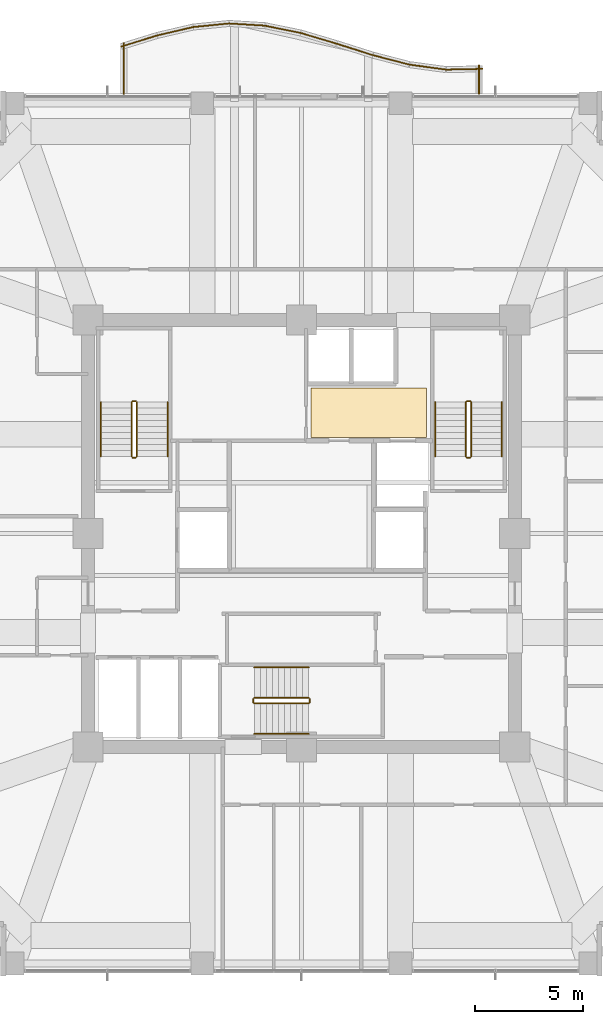
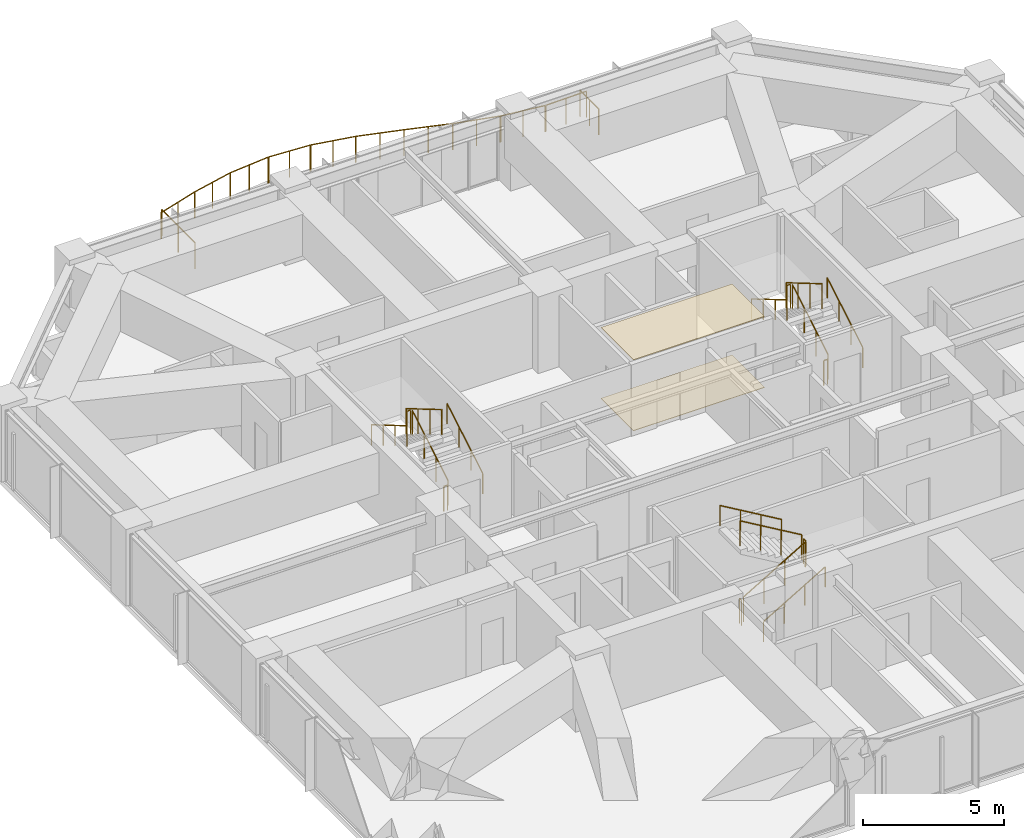
# One storey, part 34 of 34: 30 railings, 2 coverings.
"""IFC4 building model written with IfcOpenShell, lengths in metres."""

from ifc_helpers import new_model, si_unit, direction, frame, origin, origin_2d, place, context, subcontext, project, spatial, polyline, circle, outline, extrude, material, layer, layer_set, type_object, element, save


model = new_model("IFC4")

# Units and contexts
model_context = context("Model", 3, precision=1e-05, world=origin(), true_north=direction((0.0, 1.0)))
body_context = subcontext(model_context, "Body", "Model", "MODEL_VIEW")
ifc_project = project(units=[si_unit("LENGTHUNIT", "METRE"), si_unit("AREAUNIT", "SQUARE_METRE"), si_unit("VOLUMEUNIT", "CUBIC_METRE"), si_unit("PLANEANGLEUNIT", "RADIAN"), si_unit("MASSUNIT", "GRAM", prefix="KILO")], contexts=[model_context])

# Site, building, storey
site_placement = place(None, origin())
site = spatial("IfcSite", under=ifc_project, at=site_placement, CompositionType="ELEMENT")
building_placement = place(site_placement, origin())
building = spatial("IfcBuilding", under=site, at=building_placement, Name="Kolvaren Belvedere", CompositionType="ELEMENT")
storey_placement = place(building_placement, frame((0.0, 0.0, 105.199951171875)))
storey = spatial("IfcBuildingStorey", under=building, at=storey_placement, Name="L30", CompositionType="ELEMENT", Elevation=105.199951171875)

# Coverings
ifc_material_1 = material(Name="Acoustic perforated gypsum board", Category="gypsum")
ifc_layer_1 = layer(ifc_material_1, 0.02490234375)
ifc_layer_set_1 = layer_set([ifc_layer_1], Name="Acoustic perforated gypsum board")
covering_type_1 = type_object("IfcCoveringType", Name="COV-CEIL-GYP", PredefinedType="CEILING", material=ifc_layer_set_1)
covering_1_placement = place(storey_placement, frame((0.0, 0.0, 3.054931640625)))
element("IfcCovering", 1, at=covering_1_placement, inside=storey, type_object=covering_type_1, Name="L30 Lift Lobby Acoustic Baffle Ceiling", PredefinedType="CEILING", context=body_context, shape_type="SweptSolid", body=[
    extrude(outline(polyline([(0.449951171875, 4.449951171875), (5.800048828125, 4.449951171875), (5.800048828125, 6.75), (0.449951171875, 6.75), (0.449951171875, 4.449951171875)])), origin(), (0.0, 0.0, 1.0), 0.025146484375),
])
ifc_material_2 = material(Name="Engineered Pacific white oak", Category="timber")
ifc_layer_2 = layer(ifc_material_2, 0.02001953125)
ifc_layer_set_2 = layer_set([ifc_layer_2], Name="Engineered Pacific white oak")
covering_type_2 = type_object("IfcCoveringType", Name="COV-FLR-OAK", PredefinedType="FLOORING", material=ifc_layer_set_2)
covering_2_placement = place(storey_placement, origin())
element("IfcCovering", 2, at=covering_2_placement, inside=storey, type_object=covering_type_2, Name="L30 Lift Lobby Finish Flooring", PredefinedType="FLOORING", context=body_context, shape_type="SweptSolid", body=[
    extrude(outline(polyline([(0.449951171875, 4.449951171875), (5.800048828125, 4.449951171875), (5.800048828125, 6.75), (0.449951171875, 6.75), (0.449951171875, 4.449951171875)])), origin(), (0.0, 0.0, 1.0), 0.02001953125),
])

# Railings
ifc_material_3 = material(Name="Anodised pale-metal aluminium & laminated glass guard", Category="aluminium")
railing_type_1 = type_object("IfcRailingType", Name="RL-GUARD-1150", PredefinedType="GUARDRAIL", material=ifc_material_3)
railing_1_placement = place(storey_placement, frame((8.239990234375, 20.39990234375, 0.380126953125)))
element("IfcRailing", 3, at=railing_1_placement, inside=storey, type_object=railing_type_1, Name="L30 Exterior Deck Safety Guard BAL-N-11", PredefinedType="GUARDRAIL", context=body_context, shape_type="SweptSolid", body=[
    extrude(circle(Radius=0.02392578125, at=origin_2d()), frame((0.0, 0.0, 1.1259765625), z_axis=(0.0, 1.0, 0.0), x_axis=(-1.0, 0.0, 0.0)), (0.0, 0.0, 1.0), 1.31298828125),
    extrude(circle(Radius=0.02099609375, at=origin_2d()), origin(), (0.0, 0.0, 1.0), 1.101806640625),
    extrude(circle(Radius=0.02099609375, at=origin_2d()), frame((0.0, 0.656494140625, 0.0)), (0.0, 0.0, 1.0), 1.101806640625),
    extrude(circle(Radius=0.02099609375, at=origin_2d()), frame((0.0, 1.31298828125, 0.0)), (0.0, 0.0, 1.0), 1.101806640625),
])
railing_2_placement = place(storey_placement, frame((8.4033203125, 21.552978515625, 0.380126953125)))
element("IfcRailing", 4, at=railing_2_placement, inside=storey, type_object=railing_type_1, Name="L30 Exterior Deck Safety Guard BAL-N-12", PredefinedType="GUARDRAIL", context=body_context, shape_type="SweptSolid", body=[
    extrude(circle(Radius=0.02392578125, at=origin_2d()), frame((0.0, 0.0, 1.1259765625), z_axis=(-0.99979609052, -0.020193498486, 0.0), x_axis=(0.020193498486, -0.99979609052, 0.0)), (0.0, 0.0, 1.0), 1.680419921875),
    extrude(circle(Radius=0.02099609375, at=origin_2d()), origin(), (0.0, 0.0, 1.0), 1.101806640625),
    extrude(circle(Radius=0.02099609375, at=origin_2d()), frame((-0.840087890625, -0.01708984375, 0.0)), (0.0, 0.0, 1.0), 1.101806640625),
    extrude(circle(Radius=0.02099609375, at=origin_2d()), frame((-1.68017578125, -0.033935546875, 0.0)), (0.0, 0.0, 1.0), 1.101806640625),
])
railing_3_placement = place(storey_placement, frame((6.698486328125, 21.5205078125, 0.380126953125)))
element("IfcRailing", 5, at=railing_3_placement, inside=storey, type_object=railing_type_1, Name="L30 Exterior Deck Safety Guard BAL-N-13", PredefinedType="GUARDRAIL", context=body_context, shape_type="SweptSolid", body=[
    extrude(circle(Radius=0.02392578125, at=origin_2d()), frame((0.0, 0.0, 1.1259765625), z_axis=(-0.990858183042, 0.134907602079, 0.0), x_axis=(-0.134907602079, -0.990858183042, 0.0)), (0.0, 0.0, 1.0), 1.695556640625),
    extrude(circle(Radius=0.02099609375, at=origin_2d()), origin(), (0.0, 0.0, 1.0), 1.101806640625),
    extrude(circle(Radius=0.02099609375, at=origin_2d()), frame((-0.840087890625, 0.1142578125, 0.0)), (0.0, 0.0, 1.0), 1.101806640625),
    extrude(circle(Radius=0.02099609375, at=origin_2d()), frame((-1.68017578125, 0.228759765625, 0.0)), (0.0, 0.0, 1.0), 1.101806640625),
])
railing_4_placement = place(storey_placement, frame((5.0, 21.7529296875, 0.380126953125)))
element("IfcRailing", 6, at=railing_4_placement, inside=storey, type_object=railing_type_1, Name="L30 Exterior Deck Safety Guard BAL-N-14", PredefinedType="GUARDRAIL", context=body_context, shape_type="SweptSolid", body=[
    extrude(circle(Radius=0.02392578125, at=origin_2d()), frame((0.0, 0.0, 1.1259765625), z_axis=(-0.968141031826, 0.250405556038, 0.0), x_axis=(-0.250405556038, -0.968141031826, 0.0)), (0.0, 0.0, 1.0), 1.7353515625),
    extrude(circle(Radius=0.02099609375, at=origin_2d()), origin(), (0.0, 0.0, 1.0), 1.101806640625),
    extrude(circle(Radius=0.02099609375, at=origin_2d()), frame((-0.840087890625, 0.21728515625, 0.0)), (0.0, 0.0, 1.0), 1.101806640625),
    extrude(circle(Radius=0.02099609375, at=origin_2d()), frame((-1.68017578125, 0.4345703125, 0.0)), (0.0, 0.0, 1.0), 1.101806640625),
])
railing_5_placement = place(storey_placement, frame((3.3115234375, 22.18994140625, 0.380126953125)))
element("IfcRailing", 7, at=railing_5_placement, inside=storey, type_object=railing_type_1, Name="L30 Exterior Deck Safety Guard BAL-N-15", PredefinedType="GUARDRAIL", context=body_context, shape_type="SweptSolid", body=[
    extrude(circle(Radius=0.02392578125, at=origin_2d()), frame((0.0, 0.0, 1.1259765625), z_axis=(-0.953181954832, 0.302397356111, 0.0), x_axis=(-0.302397356111, -0.953181954832, 0.0)), (0.0, 0.0, 1.0), 1.762451171875),
    extrude(circle(Radius=0.02099609375, at=origin_2d()), origin(), (0.0, 0.0, 1.0), 1.101806640625),
    extrude(circle(Radius=0.02099609375, at=origin_2d()), frame((-0.83984375, 0.2666015625, 0.0)), (0.0, 0.0, 1.0), 1.101806640625),
    extrude(circle(Radius=0.02099609375, at=origin_2d()), frame((-1.679931640625, 0.532958984375, 0.0)), (0.0, 0.0, 1.0), 1.101806640625),
])
railing_6_placement = place(storey_placement, frame((1.634521484375, 22.721923828125, 0.380126953125)))
element("IfcRailing", 8, at=railing_6_placement, inside=storey, type_object=railing_type_1, Name="L30 Exterior Deck Safety Guard BAL-N-16", PredefinedType="GUARDRAIL", context=body_context, shape_type="SweptSolid", body=[
    extrude(circle(Radius=0.02392578125, at=origin_2d()), frame((0.0, 0.0, 1.1259765625), z_axis=(-0.958536356279, 0.284970268083, 0.0), x_axis=(-0.284970268083, -0.958536356279, 0.0)), (0.0, 0.0, 1.0), 1.7529296875),
    extrude(circle(Radius=0.02099609375, at=origin_2d()), origin(), (0.0, 0.0, 1.0), 1.101806640625),
    extrude(circle(Radius=0.02099609375, at=origin_2d()), frame((-0.840087890625, 0.249755859375, 0.0)), (0.0, 0.0, 1.0), 1.101806640625),
    extrude(circle(Radius=0.02099609375, at=origin_2d()), frame((-1.68017578125, 0.49951171875, 0.0)), (0.0, 0.0, 1.0), 1.101806640625),
])
railing_7_placement = place(storey_placement, frame((-0.031982421875, 23.218017578125, 0.380126953125)))
element("IfcRailing", 9, at=railing_7_placement, inside=storey, type_object=railing_type_1, Name="L30 Exterior Deck Safety Guard BAL-N-17", PredefinedType="GUARDRAIL", context=body_context, shape_type="SweptSolid", body=[
    extrude(circle(Radius=0.02392578125, at=origin_2d()), frame((0.0, 0.0, 1.1259765625), z_axis=(-0.979867779516, 0.199647526069, 0.0), x_axis=(-0.199647526069, -0.979867779516, 0.0)), (0.0, 0.0, 1.0), 1.71435546875),
    extrude(circle(Radius=0.02099609375, at=origin_2d()), origin(), (0.0, 0.0, 1.0), 1.101806640625),
    extrude(circle(Radius=0.02099609375, at=origin_2d()), frame((-0.83984375, 0.171142578125, 0.0)), (0.0, 0.0, 1.0), 1.101806640625),
    extrude(circle(Radius=0.02099609375, at=origin_2d()), frame((-1.679931640625, 0.34228515625, 0.0)), (0.0, 0.0, 1.0), 1.101806640625),
])
railing_8_placement = place(storey_placement, frame((-1.689697265625, 23.5576171875, 0.380126953125)))
element("IfcRailing", 10, at=railing_8_placement, inside=storey, type_object=railing_type_1, Name="L30 Exterior Deck Safety Guard BAL-N-18", PredefinedType="GUARDRAIL", context=body_context, shape_type="SweptSolid", body=[
    extrude(circle(Radius=0.02392578125, at=origin_2d()), frame((0.0, 0.0, 1.1259765625), z_axis=(-0.998134101522, 0.061059932685, 0.0), x_axis=(-0.061059932685, -0.998134101522, 0.0)), (0.0, 0.0, 1.0), 1.683349609375),
    extrude(circle(Radius=0.02099609375, at=origin_2d()), origin(), (0.0, 0.0, 1.0), 1.101806640625),
    extrude(circle(Radius=0.02099609375, at=origin_2d()), frame((-0.840087890625, 0.05126953125, 0.0)), (0.0, 0.0, 1.0), 1.101806640625),
    extrude(circle(Radius=0.02099609375, at=origin_2d()), frame((-1.68017578125, 0.102783203125, 0.0)), (0.0, 0.0, 1.0), 1.101806640625),
])
railing_9_placement = place(storey_placement, frame((-3.343994140625, 23.660888671875, 0.380126953125)))
element("IfcRailing", 11, at=railing_9_placement, inside=storey, type_object=railing_type_1, Name="L30 Exterior Deck Safety Guard BAL-N-19", PredefinedType="GUARDRAIL", context=body_context, shape_type="SweptSolid", body=[
    extrude(circle(Radius=0.02392578125, at=origin_2d()), frame((0.0, 0.0, 1.1259765625), z_axis=(-0.995025731437, -0.099618240186, 0.0), x_axis=(0.099618240186, -0.995025731437, 0.0)), (0.0, 0.0, 1.0), 1.6884765625),
    extrude(circle(Radius=0.02099609375, at=origin_2d()), origin(), (0.0, 0.0, 1.0), 1.101806640625),
    extrude(circle(Radius=0.02099609375, at=origin_2d()), frame((-0.840087890625, -0.083984375, 0.0)), (0.0, 0.0, 1.0), 1.101806640625),
    extrude(circle(Radius=0.02099609375, at=origin_2d()), frame((-1.68017578125, -0.168212890625, 0.0)), (0.0, 0.0, 1.0), 1.101806640625),
])
railing_10_placement = place(storey_placement, frame((-5.003662109375, 23.49609375, 0.380126953125)))
element("IfcRailing", 12, at=railing_10_placement, inside=storey, type_object=railing_type_1, Name="L30 Exterior Deck Safety Guard BAL-N-20", PredefinedType="GUARDRAIL", context=body_context, shape_type="SweptSolid", body=[
    extrude(circle(Radius=0.02392578125, at=origin_2d()), frame((0.0, 0.0, 1.1259765625), z_axis=(-0.973890253884, -0.227019323824, 0.0), x_axis=(0.227019323824, -0.973890253884, 0.0)), (0.0, 0.0, 1.0), 1.724853515625),
    extrude(circle(Radius=0.02099609375, at=origin_2d()), origin(), (0.0, 0.0, 1.0), 1.101806640625),
    extrude(circle(Radius=0.02099609375, at=origin_2d()), frame((-0.83984375, -0.19580078125, 0.0)), (0.0, 0.0, 1.0), 1.101806640625),
    extrude(circle(Radius=0.02099609375, at=origin_2d()), frame((-1.679931640625, -0.3916015625, 0.0)), (0.0, 0.0, 1.0), 1.101806640625),
])
railing_11_placement = place(storey_placement, frame((-6.672607421875, 23.107421875, 0.380126953125)))
element("IfcRailing", 13, at=railing_11_placement, inside=storey, type_object=railing_type_1, Name="L30 Exterior Deck Safety Guard BAL-N-21", PredefinedType="GUARDRAIL", context=body_context, shape_type="SweptSolid", body=[
    extrude(circle(Radius=0.02392578125, at=origin_2d()), frame((0.0, 0.0, 1.1259765625), z_axis=(-0.955252278476, -0.29579229954, 0.0), x_axis=(0.29579229954, -0.955252278476, 0.0)), (0.0, 0.0, 1.0), 1.7587890625),
    extrude(circle(Radius=0.02099609375, at=origin_2d()), origin(), (0.0, 0.0, 1.0), 1.101806640625),
    extrude(circle(Radius=0.02099609375, at=origin_2d()), frame((-0.840087890625, -0.26025390625, 0.0)), (0.0, 0.0, 1.0), 1.101806640625),
    extrude(circle(Radius=0.02099609375, at=origin_2d()), frame((-1.68017578125, -0.520263671875, 0.0)), (0.0, 0.0, 1.0), 1.101806640625),
])
railing_12_placement = place(storey_placement, frame((-8.239990234375, 22.739990234375, 0.380126953125)))
element("IfcRailing", 14, at=railing_12_placement, inside=storey, type_object=railing_type_1, Name="L30 Exterior Deck Safety Guard BAL-N-22", PredefinedType="GUARDRAIL", context=body_context, shape_type="SweptSolid", body=[
    extrude(circle(Radius=0.02392578125, at=origin_2d()), frame((0.0, 0.0, 1.1259765625), z_axis=(0.0, -1.0, 0.0), x_axis=(1.0, 0.0, 0.0)), (0.0, 0.0, 1.0), 2.340087890625),
    extrude(circle(Radius=0.02099609375, at=origin_2d()), origin(), (0.0, 0.0, 1.0), 1.101806640625),
    extrude(circle(Radius=0.02099609375, at=origin_2d()), frame((0.0, -1.169921875, 0.0)), (0.0, 0.0, 1.0), 1.101806640625),
    extrude(circle(Radius=0.02099609375, at=origin_2d()), frame((0.0, -2.340087890625, 0.0)), (0.0, 0.0, 1.0), 1.101806640625),
])
ifc_material_4 = material(Name="Brushed stainless-steel handrail", Category="steel")
railing_type_2 = type_object("IfcRailingType", Name="RL-HANDRAIL-920", PredefinedType="HANDRAIL", material=ifc_material_4)
railing_13_placement = place(storey_placement, frame((-6.2099609375, 3.570068359375, 0.1650390625)))
element("IfcRailing", 15, at=railing_13_placement, inside=storey, type_object=railing_type_2, Name="L30 ST-1 stair handrail 1", PredefinedType="HANDRAIL", context=body_context, shape_type="SweptSolid", body=[
    extrude(circle(Radius=0.02392578125, at=origin_2d()), frame((0.0, 0.0, 0.8759765625), z_axis=(0.0, 0.86152411907, 0.507716645641), x_axis=(-1.0, 0.0, 0.0)), (0.0, 0.0, 1.0), 2.925048828125),
    extrude(circle(Radius=0.02099609375, at=origin_2d()), origin(), (0.0, 0.0, 1.0), 0.851806640625),
    extrude(circle(Radius=0.02099609375, at=origin_2d()), frame((0.0, 0.840087890625, 0.4951171875)), (0.0, 0.0, 1.0), 0.851806640625),
    extrude(circle(Radius=0.02099609375, at=origin_2d()), frame((0.0, 1.679931640625, 0.989990234375)), (0.0, 0.0, 1.0), 0.851806640625),
    extrude(circle(Radius=0.02099609375, at=origin_2d()), frame((0.0, 2.52001953125, 1.485107421875)), (0.0, 0.0, 1.0), 0.851806640625),
])
railing_14_placement = place(storey_placement, frame((-9.300048828125, 6.090087890625, 1.81494140625)))
element("IfcRailing", 16, at=railing_14_placement, inside=storey, type_object=railing_type_2, Name="L30 ST-1 stair handrail 2", PredefinedType="HANDRAIL", context=body_context, shape_type="SweptSolid", body=[
    extrude(circle(Radius=0.02392578125, at=origin_2d()), frame((0.0, 0.0, 0.8759765625), z_axis=(0.0, -0.86152411907, 0.507716645641), x_axis=(1.0, 0.0, 0.0)), (0.0, 0.0, 1.0), 2.925048828125),
    extrude(circle(Radius=0.02099609375, at=origin_2d()), origin(), (0.0, 0.0, 1.0), 0.851806640625),
    extrude(circle(Radius=0.02099609375, at=origin_2d()), frame((0.0, -0.840087890625, 0.4951171875)), (0.0, 0.0, 1.0), 0.851806640625),
    extrude(circle(Radius=0.02099609375, at=origin_2d()), frame((0.0, -1.679931640625, 0.989990234375)), (0.0, 0.0, 1.0), 0.851806640625),
    extrude(circle(Radius=0.02099609375, at=origin_2d()), frame((0.0, -2.52001953125, 1.485107421875)), (0.0, 0.0, 1.0), 0.851806640625),
])
railing_15_placement = place(storey_placement, frame((9.300048828125, 3.570068359375, 0.1650390625)))
element("IfcRailing", 17, at=railing_15_placement, inside=storey, type_object=railing_type_2, Name="L30 ST-2 stair handrail 1", PredefinedType="HANDRAIL", context=body_context, shape_type="SweptSolid", body=[
    extrude(circle(Radius=0.02392578125, at=origin_2d()), frame((0.0, 0.0, 0.8759765625), z_axis=(0.0, 0.86152411907, 0.507716645641), x_axis=(-1.0, 0.0, 0.0)), (0.0, 0.0, 1.0), 2.925048828125),
    extrude(circle(Radius=0.02099609375, at=origin_2d()), origin(), (0.0, 0.0, 1.0), 0.851806640625),
    extrude(circle(Radius=0.02099609375, at=origin_2d()), frame((0.0, 0.840087890625, 0.4951171875)), (0.0, 0.0, 1.0), 0.851806640625),
    extrude(circle(Radius=0.02099609375, at=origin_2d()), frame((0.0, 1.679931640625, 0.989990234375)), (0.0, 0.0, 1.0), 0.851806640625),
    extrude(circle(Radius=0.02099609375, at=origin_2d()), frame((0.0, 2.52001953125, 1.485107421875)), (0.0, 0.0, 1.0), 0.851806640625),
])
railing_16_placement = place(storey_placement, frame((6.2099609375, 6.090087890625, 1.81494140625)))
element("IfcRailing", 18, at=railing_16_placement, inside=storey, type_object=railing_type_2, Name="L30 ST-2 stair handrail 2", PredefinedType="HANDRAIL", context=body_context, shape_type="SweptSolid", body=[
    extrude(circle(Radius=0.02392578125, at=origin_2d()), frame((0.0, 0.0, 0.8759765625), z_axis=(0.0, -0.86152411907, 0.507716645641), x_axis=(1.0, 0.0, 0.0)), (0.0, 0.0, 1.0), 2.925048828125),
    extrude(circle(Radius=0.02099609375, at=origin_2d()), origin(), (0.0, 0.0, 1.0), 0.851806640625),
    extrude(circle(Radius=0.02099609375, at=origin_2d()), frame((0.0, -0.840087890625, 0.4951171875)), (0.0, 0.0, 1.0), 0.851806640625),
    extrude(circle(Radius=0.02099609375, at=origin_2d()), frame((0.0, -1.679931640625, 0.989990234375)), (0.0, 0.0, 1.0), 0.851806640625),
    extrude(circle(Radius=0.02099609375, at=origin_2d()), frame((0.0, -2.52001953125, 1.485107421875)), (0.0, 0.0, 1.0), 0.851806640625),
])
railing_17_placement = place(storey_placement, frame((-2.179931640625, -9.300048828125, 0.1650390625)))
element("IfcRailing", 19, at=railing_17_placement, inside=storey, type_object=railing_type_2, Name="L30 ST-3 stair handrail 1", PredefinedType="HANDRAIL", context=body_context, shape_type="SweptSolid", body=[
    extrude(circle(Radius=0.02392578125, at=origin_2d()), frame((0.0, 0.0, 0.8759765625), z_axis=(0.86152411907, 0.0, 0.507716645641), x_axis=(0.0, 1.0, 0.0)), (0.0, 0.0, 1.0), 2.925048828125),
    extrude(circle(Radius=0.02099609375, at=origin_2d()), origin(), (0.0, 0.0, 1.0), 0.851806640625),
    extrude(circle(Radius=0.02099609375, at=origin_2d()), frame((0.840087890625, 0.0, 0.4951171875)), (0.0, 0.0, 1.0), 0.851806640625),
    extrude(circle(Radius=0.02099609375, at=origin_2d()), frame((1.679931640625, 0.0, 0.989990234375)), (0.0, 0.0, 1.0), 0.851806640625),
    extrude(circle(Radius=0.02099609375, at=origin_2d()), frame((2.52001953125, 0.0, 1.485107421875)), (0.0, 0.0, 1.0), 0.851806640625),
])
railing_18_placement = place(storey_placement, frame((0.340087890625, -6.2099609375, 1.81494140625)))
element("IfcRailing", 20, at=railing_18_placement, inside=storey, type_object=railing_type_2, Name="L30 ST-3 stair handrail 2", PredefinedType="HANDRAIL", context=body_context, shape_type="SweptSolid", body=[
    extrude(circle(Radius=0.02392578125, at=origin_2d()), frame((0.0, 0.0, 0.8759765625), z_axis=(-0.86152411907, 0.0, 0.507716645641), x_axis=(0.0, -1.0, 0.0)), (0.0, 0.0, 1.0), 2.925048828125),
    extrude(circle(Radius=0.02099609375, at=origin_2d()), origin(), (0.0, 0.0, 1.0), 0.851806640625),
    extrude(circle(Radius=0.02099609375, at=origin_2d()), frame((-0.840087890625, 0.0, 0.4951171875)), (0.0, 0.0, 1.0), 0.851806640625),
    extrude(circle(Radius=0.02099609375, at=origin_2d()), frame((-1.679931640625, 0.0, 0.989990234375)), (0.0, 0.0, 1.0), 0.851806640625),
    extrude(circle(Radius=0.02099609375, at=origin_2d()), frame((-2.52001953125, 0.0, 1.485107421875)), (0.0, 0.0, 1.0), 0.851806640625),
])
ifc_material_5 = material(Name="Painted tubular steel stair guard", Category="steel")
railing_type_3 = type_object("IfcRailingType", Name="RL-STGUARD-1100", PredefinedType="GUARDRAIL", material=ifc_material_5)
railing_19_placement = place(storey_placement, frame((-7.6298828125, 3.570068359375, 0.1650390625)))
element("IfcRailing", 21, at=railing_19_placement, inside=storey, type_object=railing_type_3, Name="L30 ST-1 stair guard 1", PredefinedType="GUARDRAIL", context=body_context, shape_type="SweptSolid", body=[
    extrude(circle(Radius=0.02392578125, at=origin_2d()), frame((0.0, 0.0, 1.076171875), z_axis=(0.0, 0.86152411907, 0.507716645641), x_axis=(-1.0, 0.0, 0.0)), (0.0, 0.0, 1.0), 2.925048828125),
    extrude(circle(Radius=0.02099609375, at=origin_2d()), origin(), (0.0, 0.0, 1.0), 1.052001953125),
    extrude(circle(Radius=0.02099609375, at=origin_2d()), frame((0.0, 0.840087890625, 0.4951171875)), (0.0, 0.0, 1.0), 1.052001953125),
    extrude(circle(Radius=0.02099609375, at=origin_2d()), frame((0.0, 1.679931640625, 0.989990234375)), (0.0, 0.0, 1.0), 1.052001953125),
    extrude(circle(Radius=0.02099609375, at=origin_2d()), frame((0.0, 2.52001953125, 1.485107421875)), (0.0, 0.0, 1.0), 1.052001953125),
])
railing_20_placement = place(storey_placement, frame((-7.679931640625, 6.139892578125, 1.650146484375)))
element("IfcRailing", 22, at=railing_20_placement, inside=storey, type_object=railing_type_3, Name="L30 ST-1 stair guard 2", PredefinedType="GUARDRAIL", context=body_context, shape_type="SweptSolid", body=[
    extrude(circle(Radius=0.02392578125, at=origin_2d()), frame((0.0, 0.0, 1.076171875), z_axis=(-1.0, 0.0, 0.0), x_axis=(0.0, -1.0, 0.0)), (0.0, 0.0, 1.0), 0.150146484375),
    extrude(circle(Radius=0.02099609375, at=origin_2d()), origin(), (0.0, 0.0, 1.0), 1.052001953125),
    extrude(circle(Radius=0.02099609375, at=origin_2d()), frame((-0.150146484375, 0.0, 0.0)), (0.0, 0.0, 1.0), 1.052001953125),
])
railing_21_placement = place(storey_placement, frame((-7.8798828125, 6.090087890625, 1.81494140625)))
element("IfcRailing", 23, at=railing_21_placement, inside=storey, type_object=railing_type_3, Name="L30 ST-1 stair guard 3", PredefinedType="GUARDRAIL", context=body_context, shape_type="SweptSolid", body=[
    extrude(circle(Radius=0.02392578125, at=origin_2d()), frame((0.0, 0.0, 1.076171875), z_axis=(0.0, -0.86152411907, 0.507716645641), x_axis=(1.0, 0.0, 0.0)), (0.0, 0.0, 1.0), 2.925048828125),
    extrude(circle(Radius=0.02099609375, at=origin_2d()), origin(), (0.0, 0.0, 1.0), 1.052001953125),
    extrude(circle(Radius=0.02099609375, at=origin_2d()), frame((0.0, -0.840087890625, 0.4951171875)), (0.0, 0.0, 1.0), 1.052001953125),
    extrude(circle(Radius=0.02099609375, at=origin_2d()), frame((0.0, -1.679931640625, 0.989990234375)), (0.0, 0.0, 1.0), 1.052001953125),
    extrude(circle(Radius=0.02099609375, at=origin_2d()), frame((0.0, -2.52001953125, 1.485107421875)), (0.0, 0.0, 1.0), 1.052001953125),
])
railing_22_placement = place(storey_placement, frame((-7.679931640625, 3.52001953125, 0.0)))
element("IfcRailing", 24, at=railing_22_placement, inside=storey, type_object=railing_type_3, Name="L30 ST-1 stair guard 4", PredefinedType="GUARDRAIL", context=body_context, shape_type="SweptSolid", body=[
    extrude(circle(Radius=0.02392578125, at=origin_2d()), frame((0.0, 0.0, 1.076171875), z_axis=(-1.0, 0.0, 0.0), x_axis=(0.0, -1.0, 0.0)), (0.0, 0.0, 1.0), 0.150146484375),
    extrude(circle(Radius=0.02099609375, at=origin_2d()), origin(), (0.0, 0.0, 1.0), 1.052001953125),
    extrude(circle(Radius=0.02099609375, at=origin_2d()), frame((-0.150146484375, 0.0, 0.0)), (0.0, 0.0, 1.0), 1.052001953125),
])
railing_23_placement = place(storey_placement, frame((7.8798828125, 3.570068359375, 0.1650390625)))
element("IfcRailing", 25, at=railing_23_placement, inside=storey, type_object=railing_type_3, Name="L30 ST-2 stair guard 1", PredefinedType="GUARDRAIL", context=body_context, shape_type="SweptSolid", body=[
    extrude(circle(Radius=0.02392578125, at=origin_2d()), frame((0.0, 0.0, 1.076171875), z_axis=(0.0, 0.86152411907, 0.507716645641), x_axis=(-1.0, 0.0, 0.0)), (0.0, 0.0, 1.0), 2.925048828125),
    extrude(circle(Radius=0.02099609375, at=origin_2d()), origin(), (0.0, 0.0, 1.0), 1.052001953125),
    extrude(circle(Radius=0.02099609375, at=origin_2d()), frame((0.0, 0.840087890625, 0.4951171875)), (0.0, 0.0, 1.0), 1.052001953125),
    extrude(circle(Radius=0.02099609375, at=origin_2d()), frame((0.0, 1.679931640625, 0.989990234375)), (0.0, 0.0, 1.0), 1.052001953125),
    extrude(circle(Radius=0.02099609375, at=origin_2d()), frame((0.0, 2.52001953125, 1.485107421875)), (0.0, 0.0, 1.0), 1.052001953125),
])
railing_24_placement = place(storey_placement, frame((7.830078125, 6.139892578125, 1.650146484375)))
element("IfcRailing", 26, at=railing_24_placement, inside=storey, type_object=railing_type_3, Name="L30 ST-2 stair guard 2", PredefinedType="GUARDRAIL", context=body_context, shape_type="SweptSolid", body=[
    extrude(circle(Radius=0.02392578125, at=origin_2d()), frame((0.0, 0.0, 1.076171875), z_axis=(-1.0, 0.0, 0.0), x_axis=(0.0, -1.0, 0.0)), (0.0, 0.0, 1.0), 0.150146484375),
    extrude(circle(Radius=0.02099609375, at=origin_2d()), origin(), (0.0, 0.0, 1.0), 1.052001953125),
    extrude(circle(Radius=0.02099609375, at=origin_2d()), frame((-0.150146484375, 0.0, 0.0)), (0.0, 0.0, 1.0), 1.052001953125),
])
railing_25_placement = place(storey_placement, frame((7.6298828125, 6.090087890625, 1.81494140625)))
element("IfcRailing", 27, at=railing_25_placement, inside=storey, type_object=railing_type_3, Name="L30 ST-2 stair guard 3", PredefinedType="GUARDRAIL", context=body_context, shape_type="SweptSolid", body=[
    extrude(circle(Radius=0.02392578125, at=origin_2d()), frame((0.0, 0.0, 1.076171875), z_axis=(0.0, -0.86152411907, 0.507716645641), x_axis=(1.0, 0.0, 0.0)), (0.0, 0.0, 1.0), 2.925048828125),
    extrude(circle(Radius=0.02099609375, at=origin_2d()), origin(), (0.0, 0.0, 1.0), 1.052001953125),
    extrude(circle(Radius=0.02099609375, at=origin_2d()), frame((0.0, -0.840087890625, 0.4951171875)), (0.0, 0.0, 1.0), 1.052001953125),
    extrude(circle(Radius=0.02099609375, at=origin_2d()), frame((0.0, -1.679931640625, 0.989990234375)), (0.0, 0.0, 1.0), 1.052001953125),
    extrude(circle(Radius=0.02099609375, at=origin_2d()), frame((0.0, -2.52001953125, 1.485107421875)), (0.0, 0.0, 1.0), 1.052001953125),
])
railing_26_placement = place(storey_placement, frame((7.830078125, 3.52001953125, 0.0)))
element("IfcRailing", 28, at=railing_26_placement, inside=storey, type_object=railing_type_3, Name="L30 ST-2 stair guard 4", PredefinedType="GUARDRAIL", context=body_context, shape_type="SweptSolid", body=[
    extrude(circle(Radius=0.02392578125, at=origin_2d()), frame((0.0, 0.0, 1.076171875), z_axis=(-1.0, 0.0, 0.0), x_axis=(0.0, -1.0, 0.0)), (0.0, 0.0, 1.0), 0.150146484375),
    extrude(circle(Radius=0.02099609375, at=origin_2d()), origin(), (0.0, 0.0, 1.0), 1.052001953125),
    extrude(circle(Radius=0.02099609375, at=origin_2d()), frame((-0.150146484375, 0.0, 0.0)), (0.0, 0.0, 1.0), 1.052001953125),
])
railing_27_placement = place(storey_placement, frame((-2.179931640625, -7.8798828125, 0.1650390625)))
element("IfcRailing", 29, at=railing_27_placement, inside=storey, type_object=railing_type_3, Name="L30 ST-3 stair guard 1", PredefinedType="GUARDRAIL", context=body_context, shape_type="SweptSolid", body=[
    extrude(circle(Radius=0.02392578125, at=origin_2d()), frame((0.0, 0.0, 1.076171875), z_axis=(0.86152411907, 0.0, 0.507716645641), x_axis=(0.0, 1.0, 0.0)), (0.0, 0.0, 1.0), 2.925048828125),
    extrude(circle(Radius=0.02099609375, at=origin_2d()), origin(), (0.0, 0.0, 1.0), 1.052001953125),
    extrude(circle(Radius=0.02099609375, at=origin_2d()), frame((0.840087890625, 0.0, 0.4951171875)), (0.0, 0.0, 1.0), 1.052001953125),
    extrude(circle(Radius=0.02099609375, at=origin_2d()), frame((1.679931640625, 0.0, 0.989990234375)), (0.0, 0.0, 1.0), 1.052001953125),
    extrude(circle(Radius=0.02099609375, at=origin_2d()), frame((2.52001953125, 0.0, 1.485107421875)), (0.0, 0.0, 1.0), 1.052001953125),
])
railing_28_placement = place(storey_placement, frame((0.389892578125, -7.830078125, 1.650146484375)))
element("IfcRailing", 30, at=railing_28_placement, inside=storey, type_object=railing_type_3, Name="L30 ST-3 stair guard 2", PredefinedType="GUARDRAIL", context=body_context, shape_type="SweptSolid", body=[
    extrude(circle(Radius=0.02392578125, at=origin_2d()), frame((0.0, 0.0, 1.076171875), z_axis=(0.0, 1.0, 0.0), x_axis=(-1.0, 0.0, 0.0)), (0.0, 0.0, 1.0), 0.150146484375),
    extrude(circle(Radius=0.02099609375, at=origin_2d()), origin(), (0.0, 0.0, 1.0), 1.052001953125),
    extrude(circle(Radius=0.02099609375, at=origin_2d()), frame((0.0, 0.150146484375, 0.0)), (0.0, 0.0, 1.0), 1.052001953125),
])
railing_29_placement = place(storey_placement, frame((0.340087890625, -7.6298828125, 1.81494140625)))
element("IfcRailing", 31, at=railing_29_placement, inside=storey, type_object=railing_type_3, Name="L30 ST-3 stair guard 3", PredefinedType="GUARDRAIL", context=body_context, shape_type="SweptSolid", body=[
    extrude(circle(Radius=0.02392578125, at=origin_2d()), frame((0.0, 0.0, 1.076171875), z_axis=(-0.86152411907, 0.0, 0.507716645641), x_axis=(0.0, -1.0, 0.0)), (0.0, 0.0, 1.0), 2.925048828125),
    extrude(circle(Radius=0.02099609375, at=origin_2d()), origin(), (0.0, 0.0, 1.0), 1.052001953125),
    extrude(circle(Radius=0.02099609375, at=origin_2d()), frame((-0.840087890625, 0.0, 0.4951171875)), (0.0, 0.0, 1.0), 1.052001953125),
    extrude(circle(Radius=0.02099609375, at=origin_2d()), frame((-1.679931640625, 0.0, 0.989990234375)), (0.0, 0.0, 1.0), 1.052001953125),
    extrude(circle(Radius=0.02099609375, at=origin_2d()), frame((-2.52001953125, 0.0, 1.485107421875)), (0.0, 0.0, 1.0), 1.052001953125),
])
railing_30_placement = place(storey_placement, frame((-2.22998046875, -7.830078125, 0.0)))
element("IfcRailing", 32, at=railing_30_placement, inside=storey, type_object=railing_type_3, Name="L30 ST-3 stair guard 4", PredefinedType="GUARDRAIL", context=body_context, shape_type="SweptSolid", body=[
    extrude(circle(Radius=0.02392578125, at=origin_2d()), frame((0.0, 0.0, 1.076171875), z_axis=(0.0, 1.0, 0.0), x_axis=(-1.0, 0.0, 0.0)), (0.0, 0.0, 1.0), 0.150146484375),
    extrude(circle(Radius=0.02099609375, at=origin_2d()), origin(), (0.0, 0.0, 1.0), 1.052001953125),
    extrude(circle(Radius=0.02099609375, at=origin_2d()), frame((0.0, 0.150146484375, 0.0)), (0.0, 0.0, 1.0), 1.052001953125),
])

save(model, "model.ifc")
